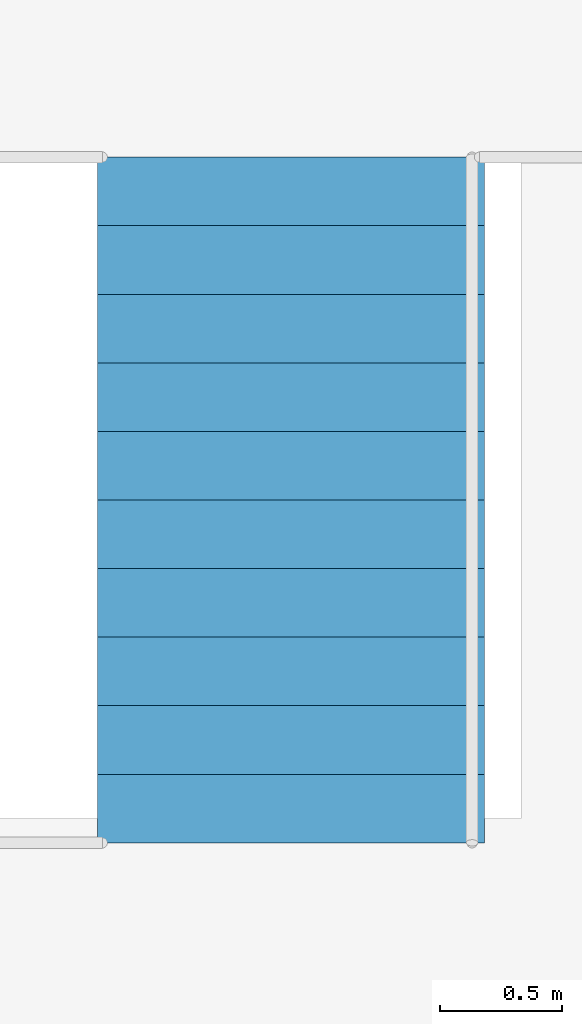
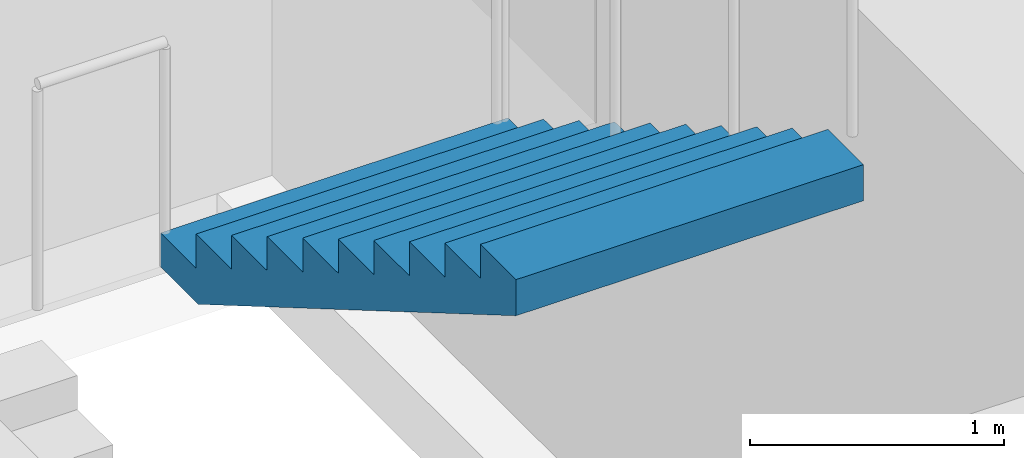
# One storey, part 10 of 11: 1 stair flight, 1 element without a shape of its own.
"""IFC4 building model written with IfcOpenShell, lengths in metres."""

from ifc_helpers import new_model, si_unit, direction, frame, origin, place, context, subcontext, project, spatial, polyline, outline, extrude, material, type_object, element, aggregate, save


model = new_model("IFC4")

# Units and contexts
model_context = context("Model", 3, precision=1e-05, world=origin(), true_north=direction((0.0, 1.0)))
body_context = subcontext(model_context, "Body", "Model", "MODEL_VIEW")
ifc_project = project(units=[si_unit("LENGTHUNIT", "METRE"), si_unit("AREAUNIT", "SQUARE_METRE"), si_unit("VOLUMEUNIT", "CUBIC_METRE"), si_unit("PLANEANGLEUNIT", "RADIAN"), si_unit("MASSUNIT", "GRAM", prefix="KILO")], contexts=[model_context])

# Site, building, storey
site_placement = place(None, origin())
site = spatial("IfcSite", under=ifc_project, at=site_placement, CompositionType="ELEMENT")
building_placement = place(site_placement, origin())
building = spatial("IfcBuilding", under=site, at=building_placement, Name="Pilkhan Gate Tower", CompositionType="ELEMENT")
storey_placement = place(building_placement, frame((0.0, 0.0, 121.60009765625)))
storey = spatial("IfcBuildingStorey", under=building, at=storey_placement, Name="L30", CompositionType="ELEMENT", Elevation=121.60009765625)

# Stair, stair flight
ifc_material = material(Name="Concrete C40/50 precast", Category="concrete")
stair_type = type_object("IfcStairType", Name="Stair ST4 164x280", PredefinedType="HALF_TURN_STAIR", material=ifc_material)
stair_placement = place(storey_placement, origin())
stair = element("IfcStair", 1, at=stair_placement, inside=storey, type_object=stair_type, Name="Stair ST4 L30", PredefinedType="HALF_TURN_STAIR")
stair_flight_type = type_object("IfcStairFlightType", Name="Stair flight ST4 164x280x11", PredefinedType="STRAIGHT", material=ifc_material)
stair_flight_placement = place(storey_placement, frame((87.81005859375, 90.199951171875, 1.7998046875), z_axis=(0.0, 0.0, 1.0), x_axis=(0.0, -1.0, 0.0)))
stair_flight = element("IfcStairFlight", 2, at=stair_flight_placement, type_object=stair_flight_type, Name="ST4 flight 2", NumberOfRisers=11, NumberOfTreads=10, PredefinedType="STRAIGHT", RiserHeight=0.163636364, TreadLength=0.28, context=body_context, shape_type="SweptSolid", body=[
    extrude(outline(polyline([(0.0, 0.0), (0.0, 0.16357421875), (0.280029296875, 0.16357421875), (0.280029296875, 0.327392578125), (0.56005859375, 0.327392578125), (0.56005859375, 0.490966796875), (0.840087890625, 0.490966796875), (0.840087890625, 0.654541015625), (1.1201171875, 0.654541015625), (1.1201171875, 0.818115234375), (1.39990234375, 0.818115234375), (1.39990234375, 0.98193359375), (1.679931640625, 0.98193359375), (1.679931640625, 1.1455078125), (1.9599609375, 1.1455078125), (1.9599609375, 1.30908203125), (2.239990234375, 1.30908203125), (2.239990234375, 1.47265625), (2.52001953125, 1.47265625), (2.52001953125, 1.636474609375), (2.800048828125, 1.636474609375), (2.800048828125, 1.800048828125), (2.800048828125, 1.462646484375), (0.297119140625, 0.0), (0.0, 0.0)])), frame((0.0, 0.7900390625, 0.0), z_axis=(0.0, -1.0, 0.0), x_axis=(1.0, 0.0, 0.0)), (0.0, 0.0, 1.0), 1.580078125),
])
aggregate(stair, [stair_flight])

save(model, "model.ifc")
